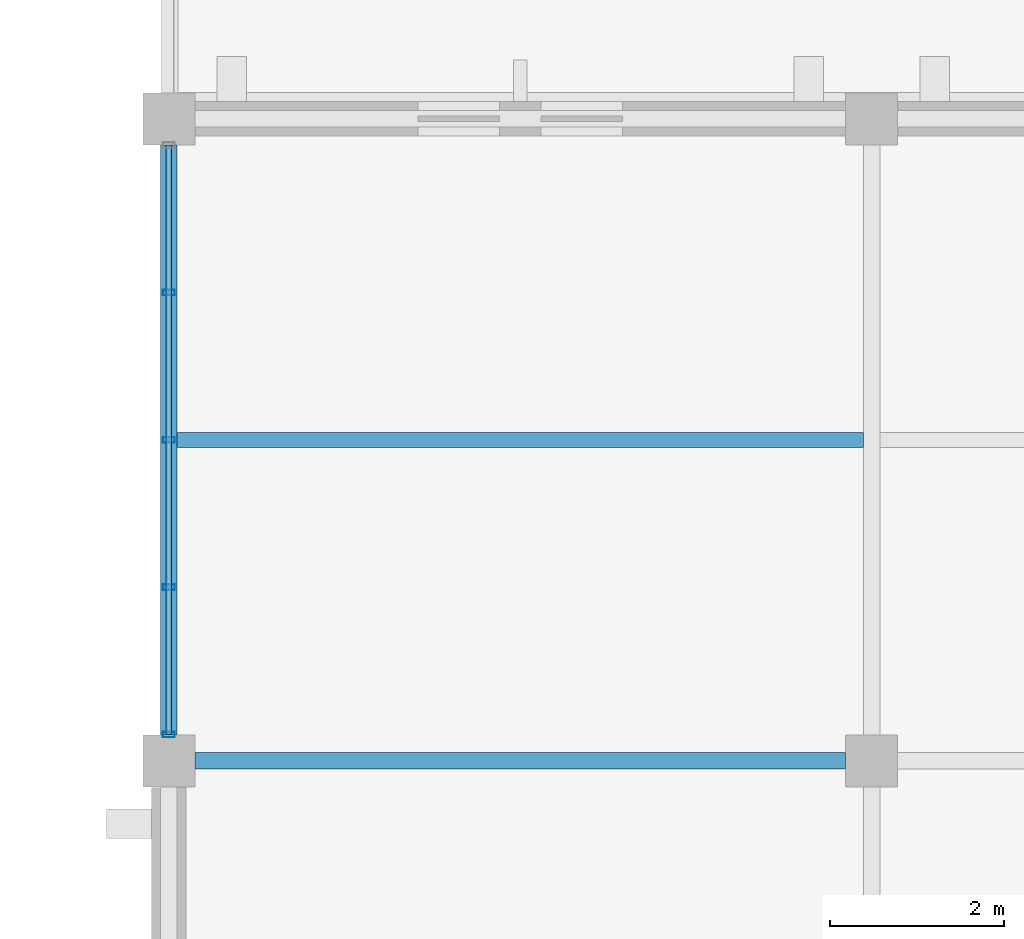
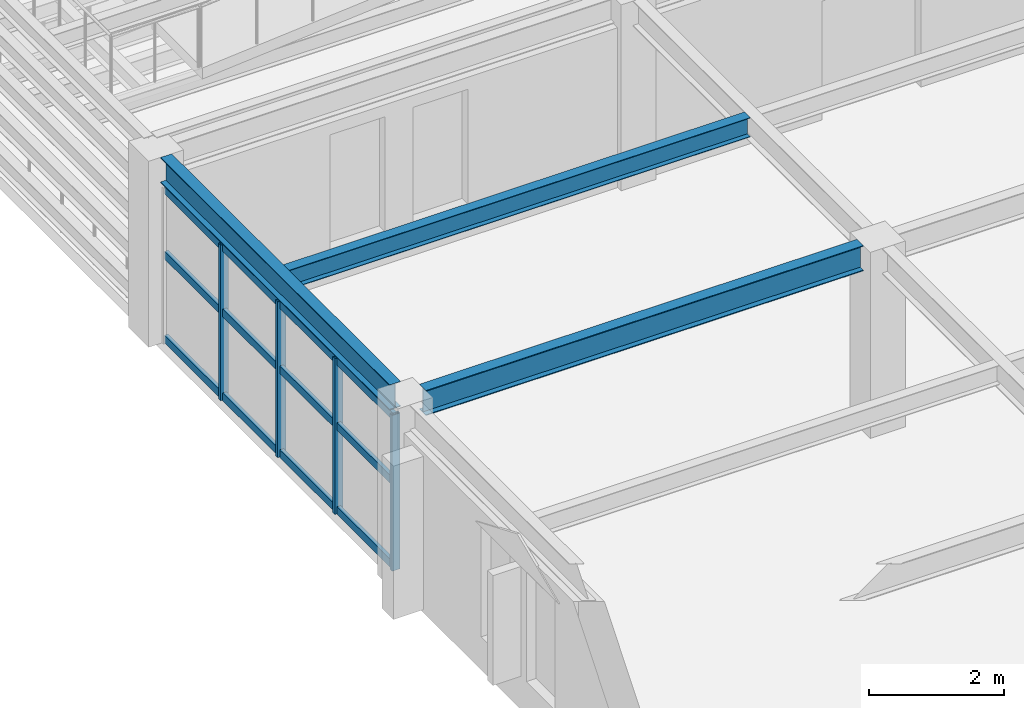
# One storey, part 52 of 121: 7 members, 3 beams, 1 element without a shape of its own.
"""IFC4 building model written with IfcOpenShell, lengths in metres."""

from ifc_helpers import new_model, si_unit, direction, frame, origin, origin_2d, place, context, subcontext, project, spatial, hollow_rectangle, i_section, extrude, material, material_profile, profile_set, type_object, element, aggregate, save


model = new_model("IFC4")

# Units and contexts
model_context = context("Model", 3, precision=1e-05, world=origin(), true_north=direction((0.0, 1.0)))
body_context = subcontext(model_context, "Body", "Model", "MODEL_VIEW")
ifc_project = project(units=[si_unit("LENGTHUNIT", "METRE"), si_unit("AREAUNIT", "SQUARE_METRE"), si_unit("VOLUMEUNIT", "CUBIC_METRE"), si_unit("PLANEANGLEUNIT", "RADIAN"), si_unit("MASSUNIT", "GRAM", prefix="KILO")], contexts=[model_context])

# Site, building, storey
site_placement = place(None, origin())
site = spatial("IfcSite", under=ifc_project, at=site_placement, CompositionType="ELEMENT")
building_placement = place(site_placement, origin())
building = spatial("IfcBuilding", under=site, at=building_placement, Name="Cimatlan Art Gallery", CompositionType="ELEMENT")
storey_placement = place(building_placement, frame((0.0, 0.0, 10.199951171875)))
storey = spatial("IfcBuildingStorey", under=building, at=storey_placement, Name="L02", CompositionType="ELEMENT", Elevation=10.199951171875)

# Beams
ifc_material_1 = material(Name="Steel ASTM A992 Grade 50", Category="steel")
ifc_material_profile_1 = material_profile(ifc_material_1, i_section(OverallWidth=0.1708984375, OverallDepth=0.35107421875, WebThickness=0.0068359375, FlangeThickness=0.009765625, at=origin_2d()), Name="W14X30")
ifc_profile_set_1 = profile_set([ifc_material_profile_1], Name="Steel ASTM A992 Grade 50")
beam_type_1 = type_object("IfcBeamType", Name="BM-STL-W14X30", PredefinedType="JOIST", material=ifc_profile_set_1)
beam_1_placement = place(storey_placement, frame((34.49560546875, 86.800048828125, 3.194580078125), z_axis=(1.0, 0.0, 0.0), x_axis=(0.0, 1.0, 0.0)))
element("IfcBeam", 1, at=beam_1_placement, inside=storey, type_object=beam_type_1, Name="JST-L02-04-11", PredefinedType="JOIST", context=body_context, shape_type="SweptSolid", body=[
    extrude(i_section(OverallWidth=0.1708984375, OverallDepth=0.35107421875, WebThickness=0.0068359375, FlangeThickness=0.009765625, at=origin_2d()), origin(), (0.0, 0.0, 1.0), 7.908935546875),
])
ifc_material_profile_2 = material_profile(ifc_material_1, i_section(OverallWidth=0.19091796875, OverallDepth=0.45703125, WebThickness=0.009033203125, FlangeThickness=0.014404296875, at=origin_2d()), Name="W18X50")
ifc_profile_set_2 = profile_set([ifc_material_profile_2], Name="Steel ASTM A992 Grade 50")
beam_type_2 = type_object("IfcBeamType", Name="BM-STL-W18X50", PredefinedType="BEAM", material=ifc_profile_set_2)
beam_2_placement = place(storey_placement, frame((34.39990234375, 83.39990234375, 3.1416015625), z_axis=(0.0, 1.0, 0.0), x_axis=(-1.0, 0.0, 0.0)))
element("IfcBeam", 2, at=beam_2_placement, inside=storey, type_object=beam_type_2, Name="BM-Y-L02-04-11", PredefinedType="BEAM", context=body_context, shape_type="SweptSolid", body=[
    extrude(i_section(OverallWidth=0.19091796875, OverallDepth=0.45703125, WebThickness=0.009033203125, FlangeThickness=0.014404296875, at=origin_2d()), origin(), (0.0, 0.0, 1.0), 6.800048828125),
])
beam_3_placement = place(storey_placement, frame((34.699951171875, 83.10009765625, 3.1416015625), z_axis=(1.0, 0.0, 0.0), x_axis=(0.0, 1.0, 0.0)))
element("IfcBeam", 3, at=beam_3_placement, inside=storey, type_object=beam_type_2, Name="BM-X-L02-04-11", PredefinedType="BEAM", context=body_context, shape_type="SweptSolid", body=[
    extrude(i_section(OverallWidth=0.19091796875, OverallDepth=0.45703125, WebThickness=0.009033203125, FlangeThickness=0.014404296875, at=origin_2d()), origin(), (0.0, 0.0, 1.0), 7.5),
])

# Curtain wall, members
ifc_material_2 = material(Name="Anodised bronze unitised curtain wall")
curtain_wall_type = type_object("IfcCurtainWallType", Name="CW-V-06792X02823-B4", PredefinedType="NOTDEFINED", material=ifc_material_2)
curtain_wall_placement = place(storey_placement, origin())
curtain_wall = element("IfcCurtainWall", 4, at=curtain_wall_placement, inside=storey, type_object=curtain_wall_type, Name="CW-L02-04-11-W", PredefinedType="NOTDEFINED")
ifc_material_3 = material(Name="Anodised bronze aluminium 6063-T6", Category="aluminium")
ifc_material_profile_3 = material_profile(ifc_material_3, hollow_rectangle(XDim=0.06494140625, YDim=0.139892578125, WallThickness=0.00390625, at=origin_2d()), Name="ALU65X140X4")
ifc_profile_set_3 = profile_set([ifc_material_profile_3], Name="Anodised bronze aluminium 6063-T6")
member_type_1 = type_object("IfcMemberType", Name="CW-MUL-140", PredefinedType="MULLION", material=ifc_profile_set_3)
member_1_placement = place(storey_placement, frame((34.39990234375, 83.404052734375, 0.0), z_axis=(0.0, 0.0, 1.0), x_axis=(0.0, 1.0, 0.0)))
member_1 = element("IfcMember", 5, at=member_1_placement, type_object=member_type_1, Name="CW-L02-04-11-W-M1", PredefinedType="MULLION", context=body_context, shape_type="SweptSolid", body=[
    extrude(hollow_rectangle(XDim=0.06494140625, YDim=0.139892578125, WallThickness=0.00390625, at=origin_2d()), origin(), (0.0, 0.0, 1.0), 2.822998046875),
])
member_2_placement = place(storey_placement, frame((34.39990234375, 85.10205078125, 0.0), z_axis=(0.0, 0.0, 1.0), x_axis=(0.0, 1.0, 0.0)))
member_2 = element("IfcMember", 6, at=member_2_placement, type_object=member_type_1, Name="CW-L02-04-11-W-M2", PredefinedType="MULLION", context=body_context, shape_type="SweptSolid", body=[
    extrude(hollow_rectangle(XDim=0.06494140625, YDim=0.139892578125, WallThickness=0.00390625, at=origin_2d()), origin(), (0.0, 0.0, 1.0), 2.822998046875),
])
member_3_placement = place(storey_placement, frame((34.39990234375, 86.800048828125, 0.0), z_axis=(0.0, 0.0, 1.0), x_axis=(0.0, 1.0, 0.0)))
member_3 = element("IfcMember", 7, at=member_3_placement, type_object=member_type_1, Name="CW-L02-04-11-W-M3", PredefinedType="MULLION", context=body_context, shape_type="SweptSolid", body=[
    extrude(hollow_rectangle(XDim=0.06494140625, YDim=0.139892578125, WallThickness=0.00390625, at=origin_2d()), origin(), (0.0, 0.0, 1.0), 2.822998046875),
])
member_4_placement = place(storey_placement, frame((34.39990234375, 88.498046875, 0.0), z_axis=(0.0, 0.0, 1.0), x_axis=(0.0, 1.0, 0.0)))
member_4 = element("IfcMember", 8, at=member_4_placement, type_object=member_type_1, Name="CW-L02-04-11-W-M4", PredefinedType="MULLION", context=body_context, shape_type="SweptSolid", body=[
    extrude(hollow_rectangle(XDim=0.06494140625, YDim=0.139892578125, WallThickness=0.00390625, at=origin_2d()), origin(), (0.0, 0.0, 1.0), 2.822998046875),
])
ifc_material_profile_4 = material_profile(ifc_material_3, hollow_rectangle(XDim=0.06494140625, YDim=0.139892578125, WallThickness=0.00390625, at=origin_2d()), Name="ALU65X140X4")
ifc_profile_set_4 = profile_set([ifc_material_profile_4], Name="Anodised bronze aluminium 6063-T6")
member_type_2 = type_object("IfcMemberType", Name="CW-TRN-140", PredefinedType="USERDEFINED", material=ifc_profile_set_4)
member_5_placement = place(storey_placement, frame((34.39990234375, 83.404052734375, 0.06005859375), z_axis=(0.0, 1.0, 0.0), x_axis=(-1.0, 0.0, 0.0)))
member_5 = element("IfcMember", 9, at=member_5_placement, type_object=member_type_2, Name="CW-L02-04-11-W-T1", ObjectType="TRANSOM", PredefinedType="USERDEFINED", context=body_context, shape_type="SweptSolid", body=[
    extrude(hollow_rectangle(XDim=0.06494140625, YDim=0.139892578125, WallThickness=0.00390625, at=origin_2d()), origin(), (0.0, 0.0, 1.0), 6.7919921875),
])
member_6_placement = place(storey_placement, frame((34.39990234375, 83.404052734375, 1.5810546875), z_axis=(0.0, 1.0, 0.0), x_axis=(-1.0, 0.0, 0.0)))
member_6 = element("IfcMember", 10, at=member_6_placement, type_object=member_type_2, Name="CW-L02-04-11-W-T2", ObjectType="TRANSOM", PredefinedType="USERDEFINED", context=body_context, shape_type="SweptSolid", body=[
    extrude(hollow_rectangle(XDim=0.06494140625, YDim=0.139892578125, WallThickness=0.00390625, at=origin_2d()), origin(), (0.0, 0.0, 1.0), 6.7919921875),
])
member_7_placement = place(storey_placement, frame((34.39990234375, 83.404052734375, 2.762939453125), z_axis=(0.0, 1.0, 0.0), x_axis=(-1.0, 0.0, 0.0)))
member_7 = element("IfcMember", 11, at=member_7_placement, type_object=member_type_2, Name="CW-L02-04-11-W-T3", ObjectType="TRANSOM", PredefinedType="USERDEFINED", context=body_context, shape_type="SweptSolid", body=[
    extrude(hollow_rectangle(XDim=0.06494140625, YDim=0.139892578125, WallThickness=0.00390625, at=origin_2d()), origin(), (0.0, 0.0, 1.0), 6.7919921875),
])
aggregate(curtain_wall, [member_1, member_2, member_3, member_4, member_5, member_6, member_7])

save(model, "model.ifc")
